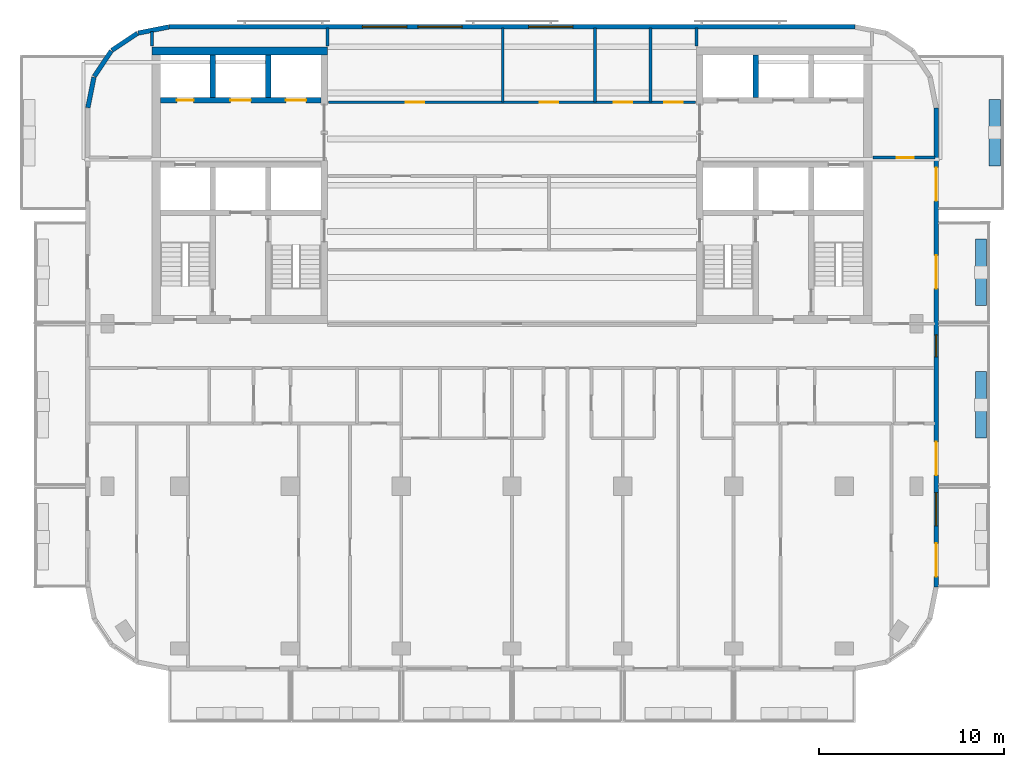
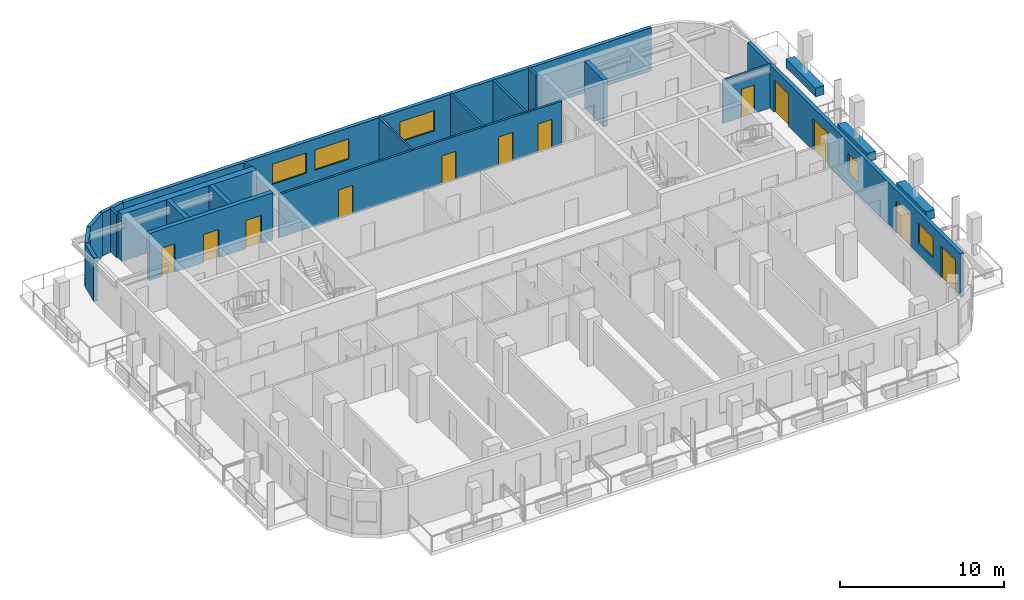
# One storey, part 6 of 11: 22 walls, 12 doors, 5 windows, 17 openings.
"""IFC4 building model written with IfcOpenShell, lengths in metres."""

from ifc_helpers import new_model, si_unit, direction, frame, frame_2d, origin, place, context, subcontext, project, spatial, rectangle, extrude, material, layer, layer_set, type_object, element, fill, save


model = new_model("IFC4")

# Units and contexts
model_context = context("Model", 3, precision=1e-05, world=origin(), true_north=direction((0.0, 1.0)))
body_context = subcontext(model_context, "Body", "Model", "MODEL_VIEW")
ifc_project = project(units=[si_unit("LENGTHUNIT", "METRE"), si_unit("AREAUNIT", "SQUARE_METRE"), si_unit("VOLUMEUNIT", "CUBIC_METRE"), si_unit("PLANEANGLEUNIT", "RADIAN"), si_unit("MASSUNIT", "GRAM", prefix="KILO")], contexts=[model_context])

# Site, building, storey
site_placement = place(None, origin())
site = spatial("IfcSite", under=ifc_project, at=site_placement, CompositionType="ELEMENT")
building_placement = place(site_placement, origin())
building = spatial("IfcBuilding", under=site, at=building_placement, Name="Torana Hotel and Residences", CompositionType="ELEMENT")
storey_placement = place(building_placement, frame((0.0, 0.0, 280.60009765625)))
storey = spatial("IfcBuildingStorey", under=building, at=storey_placement, Name="L74", CompositionType="ELEMENT", Elevation=280.60009765625)

# Wall, openings, doors
ifc_material_1 = material(Name="Concrete C60/75", Category="concrete")
ifc_layer_1 = layer(ifc_material_1, 0.300048828125)
ifc_layer_set_1 = layer_set([ifc_layer_1], Name="CORE WALL 300 C60/75")
wall_type_1 = type_object("IfcWallType", Name="CORE WALL 300 C60/75", PredefinedType="SHEAR", material=ifc_layer_set_1)
wall_1_placement = place(storey_placement, frame((-19.050048828125, -2.89990234375, 0.0), z_axis=(0.0, 0.0, 1.0), x_axis=(1.0, 0.0, 0.0)))
wall_1 = element("IfcWall", 1, at=wall_1_placement, inside=storey, type_object=wall_type_1, Name="Core wall W row-N", PredefinedType="SHEAR", context=body_context, shape_type="SweptSolid", body=[
    extrude(rectangle(XDim=8.699951171875, YDim=0.300048828125, at=frame_2d((4.35009765625, 0.0))), origin(), (0.0, 0.0, 1.0), 3.5),
])
opening_1_placement = place(wall_1_placement, frame((6.800048828125, 0.0, 0.0)))
opening_1 = element("IfcOpeningElement", 2, at=opening_1_placement, cuts=wall_1, Name="Opening LD", PredefinedType="OPENING", context=body_context, shape_type="SweptSolid", body=[
    extrude(rectangle(XDim=1.10009765625, YDim=2.10009765625, at=frame_2d((0.550048828125, 1.050048828125))), frame((0.0, 0.159912109375, 0.0), z_axis=(0.0, -1.0, 0.0), x_axis=(1.0, 0.0, 0.0)), (0.0, 0.0, 1.0), 0.320068359375),
])
opening_2_placement = place(wall_1_placement, frame((3.800048828125, 0.0, 0.0)))
opening_2 = element("IfcOpeningElement", 3, at=opening_2_placement, cuts=wall_1, Name="Opening LD", PredefinedType="OPENING", context=body_context, shape_type="SweptSolid", body=[
    extrude(rectangle(XDim=1.10009765625, YDim=2.10009765625, at=frame_2d((0.550048828125, 1.050048828125))), frame((0.0, 0.159912109375, 0.0), z_axis=(0.0, -1.0, 0.0), x_axis=(1.0, 0.0, 0.0)), (0.0, 0.0, 1.0), 0.320068359375),
])
opening_3_placement = place(wall_1_placement, frame((0.89990234375, 0.0, 0.0)))
opening_3 = element("IfcOpeningElement", 4, at=opening_3_placement, cuts=wall_1, Name="Opening L74-06", PredefinedType="OPENING", context=body_context, shape_type="SweptSolid", body=[
    extrude(rectangle(XDim=0.89990234375, YDim=2.10009765625, at=frame_2d((0.449951171875, 1.050048828125))), frame((0.0, 0.159912109375, 0.0), z_axis=(0.0, -1.0, 0.0), x_axis=(1.0, 0.0, 0.0)), (0.0, 0.0, 1.0), 0.320068359375),
])
ifc_material_2 = material(Name="Stainless steel 316", Category="steel")
door_type_1 = type_object("IfcDoorType", Name="LIFT LANDING DOOR LD 1100x2100", OperationType="DOUBLE_DOOR_SLIDING", PredefinedType="USERDEFINED", material=ifc_material_2)
door_1_placement = place(opening_1_placement, origin())
door_1 = element("IfcDoor", 5, at=door_1_placement, inside=storey, type_object=door_type_1, Name="Lift landing door H1 L74", ObjectType="LIFT LANDING DOOR", OperationType="DOUBLE_DOOR_SLIDING", OverallHeight=2.10009765625, OverallWidth=1.10009765625, PredefinedType="USERDEFINED", context=body_context, shape_type="SweptSolid", body=[
    extrude(rectangle(XDim=1.10009765625, YDim=2.10009765625, at=frame_2d((0.550048828125, 1.050048828125))), frame((0.0, 0.02490234375, 0.0), z_axis=(0.0, -1.0, 0.0), x_axis=(1.0, 0.0, 0.0)), (0.0, 0.0, 1.0), 0.050048828125),
])
fill(opening_1, door_1)
door_2_placement = place(opening_2_placement, origin())
door_2 = element("IfcDoor", 6, at=door_2_placement, inside=storey, type_object=door_type_1, Name="Lift landing door H2 L74", ObjectType="LIFT LANDING DOOR", OperationType="DOUBLE_DOOR_SLIDING", OverallHeight=2.10009765625, OverallWidth=1.10009765625, PredefinedType="USERDEFINED", context=body_context, shape_type="SweptSolid", body=[
    extrude(rectangle(XDim=1.10009765625, YDim=2.10009765625, at=frame_2d((0.550048828125, 1.050048828125))), frame((0.0, 0.02490234375, 0.0), z_axis=(0.0, -1.0, 0.0), x_axis=(1.0, 0.0, 0.0)), (0.0, 0.0, 1.0), 0.050048828125),
])
fill(opening_2, door_2)
ifc_material_3 = material(Name="Steel S235", Category="steel")
door_type_2 = type_object("IfcDoorType", Name="RISER ACCESS DOOR D5 900x2100", OperationType="SINGLE_SWING_LEFT", PredefinedType="DOOR", material=ifc_material_3)
door_3_placement = place(opening_3_placement, origin())
door_3 = element("IfcDoor", 7, at=door_3_placement, inside=storey, type_object=door_type_2, Name="N2 door L74", OperationType="SINGLE_SWING_RIGHT", OverallHeight=2.10009765625, OverallWidth=0.89990234375, PredefinedType="DOOR", context=body_context, shape_type="SweptSolid", body=[
    extrude(rectangle(XDim=0.89990234375, YDim=2.10009765625, at=frame_2d((0.449951171875, 1.050048828125))), frame((0.0, 0.02490234375, 0.0), z_axis=(0.0, -1.0, 0.0), x_axis=(1.0, 0.0, 0.0)), (0.0, 0.0, 1.0), 0.050048828125),
])
fill(opening_3, door_3)

# Walls
for number, where, z_axis, x_axis, name in (
    (8, (-13.199951171875, -2.75, 0.0), (0.0, 0.0, 1.0), (0.0, 1.0, 0.0), "Core wall W x3.05-N"),
    (9, (-16.199951171875, -2.75, 0.0), (0.0, 0.0, 1.0), (0.0, 1.0, 0.0), "Core wall W x6.05-N"),
    (10, (13.199951171875, -2.75, 0.0), (0.0, 0.0, 1.0), (0.0, 1.0, 0.0), "Core wall E x3.05-N"),
):
    element("IfcWall", number, at=place(storey_placement, frame(where, z_axis=z_axis, x_axis=x_axis)), inside=storey, type_object=wall_type_1, Name=name, PredefinedType="SHEAR", context=body_context, shape_type="SweptSolid", body=[
        extrude(rectangle(XDim=2.300048828125, YDim=0.300048828125, at=frame_2d((1.14990234375, 0.0))), origin(), (0.0, 0.0, 1.0), 3.5),
    ])
ifc_material_4 = material(Name="Concrete C60/75", Category="concrete")
ifc_layer_2 = layer(ifc_material_4, 0.449951171875)
ifc_layer_set_2 = layer_set([ifc_layer_2], Name="CORE WALL 450 C60/75")
wall_type_2 = type_object("IfcWallType", Name="CORE WALL 450 C60/75", PredefinedType="SHEAR", material=ifc_layer_set_2)
wall_2_placement = place(storey_placement, frame((-19.5, -0.22509765625, 0.0), z_axis=(0.0, 0.0, 1.0), x_axis=(1.0, 0.0, 0.0)))
element("IfcWall", 11, at=wall_2_placement, inside=storey, type_object=wall_type_2, Name="Core wall W rear", PredefinedType="SHEAR", context=body_context, shape_type="SweptSolid", body=[
    extrude(rectangle(XDim=9.5, YDim=0.449951171875, at=frame_2d((4.75, 0.0))), origin(), (0.0, 0.0, 1.0), 3.5),
])
ifc_material_5 = material(Name="Black aluminium composite panel", Category="aluminium")
ifc_layer_3 = layer(ifc_material_5, 0.00390625, Name="Cladding", Category="cladding")
ifc_material_6 = material(Name="Ventilated air cavity")
ifc_layer_4 = layer(ifc_material_6, 0.0400390625, Name="Ventilated cavity", Category="cavity")
ifc_material_7 = material(Name="Mineral wool insulation")
ifc_layer_5 = layer(ifc_material_7, 0.090087890625, Name="Insulation", Category="insulation")
ifc_material_8 = material(Name="Steel S280GD", Category="steel")
ifc_layer_6 = layer(ifc_material_8, 0.092041015625, Name="Steel stud frame", Category="structure")
ifc_material_9 = material(Name="Fire rated plasterboard")
ifc_layer_7 = layer(ifc_material_9, 0.011962890625, Name="Inner board", Category="finish")
ifc_layer_8 = layer(ifc_material_9, 0.011962890625, Name="Second board", Category="finish")
ifc_layer_set_3 = layer_set([ifc_layer_3, ifc_layer_4, ifc_layer_5, ifc_layer_6, ifc_layer_7, ifc_layer_8], Name="EW1 EXTERNAL WALL BLACK METAL CLAD 250")
wall_type_3 = type_object("IfcWallType", Name="EW1 EXTERNAL WALL BLACK METAL CLAD 250", PredefinedType="SOLIDWALL", material=ifc_layer_set_3)
wall_3_placement = place(storey_placement, frame((-18.599853515625, 1.072509765625, 0.0), z_axis=(0.0, 0.0, 1.0), x_axis=(-0.980797896849, -0.195026884138, 0.0)))
element("IfcWall", 12, at=wall_3_placement, inside=storey, type_object=wall_type_3, Name="External wall L74 e0.5", PredefinedType="SOLIDWALL", context=body_context, shape_type="SweptSolid", body=[
    extrude(rectangle(XDim=1.68115234375, YDim=0.25, at=frame_2d((0.840576171875, 0.0))), origin(), (0.0, 0.0, 1.0), 3.219970703125),
])
for number, where, z_axis, x_axis, name in (
    (13, (-20.2939453125, 0.725830078125, 0.0), (0.0, 0.0, 1.0), (-0.831482937015, -0.55555029066, 0.0), "External wall L74 e0.6"),
    (14, (-21.705810546875, -0.228759765625, 0.0), (0.0, 0.0, 1.0), (-0.55555029066, -0.831482937015, 0.0), "External wall L74 e0.7"),
):
    element("IfcWall", number, at=place(storey_placement, frame(where, z_axis=z_axis, x_axis=x_axis)), inside=storey, type_object=wall_type_3, Name=name, PredefinedType="SOLIDWALL", context=body_context, shape_type="SweptSolid", body=[
        extrude(rectangle(XDim=1.65625, YDim=0.25, at=frame_2d((0.828125, 0.0))), origin(), (0.0, 0.0, 1.0), 3.219970703125),
    ])
wall_4_placement = place(storey_placement, frame((-22.64453125, -1.651123046875, 0.0), z_axis=(0.0, 0.0, 1.0), x_axis=(-0.19513878023, -0.980775640221, 0.0)))
element("IfcWall", 15, at=wall_4_placement, inside=storey, type_object=wall_type_3, Name="External wall L74 e0.8", PredefinedType="SOLIDWALL", context=body_context, shape_type="SweptSolid", body=[
    extrude(rectangle(XDim=1.681396484375, YDim=0.25, at=frame_2d((0.8408203125, 0.0))), origin(), (0.0, 0.0, 1.0), 3.219970703125),
])

# Wall, openings, doors, windows
wall_5_placement = place(storey_placement, frame((22.97509765625, -29.275390625, 0.0), z_axis=(0.0, 0.0, 1.0), x_axis=(0.0, 1.0, 0.0)))
wall_5 = element("IfcWall", 16, at=wall_5_placement, inside=storey, type_object=wall_type_3, Name="External wall L74 e0.19", PredefinedType="SOLIDWALL", context=body_context, shape_type="SweptSolid", body=[
    extrude(rectangle(XDim=25.95068359375, YDim=0.25, at=frame_2d((12.975341796875, 0.0))), origin(), (0.0, 0.0, 1.0), 3.219970703125),
])
opening_4_placement = place(wall_5_placement, frame((0.575439453125, 0.0, 0.0)))
opening_4 = element("IfcOpeningElement", 17, at=opening_4_placement, cuts=wall_5, Name="Opening L74-E07", PredefinedType="OPENING", context=body_context, shape_type="SweptSolid", body=[
    extrude(rectangle(XDim=1.800048828125, YDim=2.39990234375, at=frame_2d((0.89990234375, 1.199951171875))), frame((0.0, 0.135009765625, 0.0), z_axis=(0.0, -1.0, 0.0), x_axis=(1.0, 0.0, 0.0)), (0.0, 0.0, 1.0), 0.27001953125),
])
opening_5_placement = place(wall_5_placement, frame((3.325439453125, 0.0, 0.89990234375)))
opening_5 = element("IfcOpeningElement", 18, at=opening_5_placement, cuts=wall_5, Name="Opening W4", PredefinedType="OPENING", context=body_context, shape_type="SweptSolid", body=[
    extrude(rectangle(XDim=1.800048828125, YDim=1.5, at=frame_2d((0.89990234375, 0.75))), frame((0.0, 0.135009765625, 0.0), z_axis=(0.0, -1.0, 0.0), x_axis=(1.0, 0.0, 0.0)), (0.0, 0.0, 1.0), 0.27001953125),
])
opening_6_placement = place(wall_5_placement, frame((6.075439453125, 0.0, 0.0)))
opening_6 = element("IfcOpeningElement", 19, at=opening_6_placement, cuts=wall_5, Name="Opening L74-E08", PredefinedType="OPENING", context=body_context, shape_type="SweptSolid", body=[
    extrude(rectangle(XDim=1.800048828125, YDim=2.39990234375, at=frame_2d((0.89990234375, 1.199951171875))), frame((0.0, 0.135009765625, 0.0), z_axis=(0.0, -1.0, 0.0), x_axis=(1.0, 0.0, 0.0)), (0.0, 0.0, 1.0), 0.27001953125),
])
opening_7_placement = place(wall_5_placement, frame((12.475341796875, 0.0, 0.89990234375)))
opening_7 = element("IfcOpeningElement", 20, at=opening_7_placement, cuts=wall_5, Name="Opening W5", PredefinedType="OPENING", context=body_context, shape_type="SweptSolid", body=[
    extrude(rectangle(XDim=1.199951171875, YDim=1.5, at=frame_2d((0.60009765625, 0.75))), frame((0.0, 0.135009765625, 0.0), z_axis=(0.0, -1.0, 0.0), x_axis=(1.0, 0.0, 0.0)), (0.0, 0.0, 1.0), 0.27001953125),
])
opening_8_placement = place(wall_5_placement, frame((16.17529296875, 0.0, 0.0)))
opening_8 = element("IfcOpeningElement", 21, at=opening_8_placement, cuts=wall_5, Name="Opening L74-E09", PredefinedType="OPENING", context=body_context, shape_type="SweptSolid", body=[
    extrude(rectangle(XDim=1.800048828125, YDim=2.39990234375, at=frame_2d((0.89990234375, 1.199951171875))), frame((0.0, 0.135009765625, 0.0), z_axis=(0.0, -1.0, 0.0), x_axis=(1.0, 0.0, 0.0)), (0.0, 0.0, 1.0), 0.27001953125),
])
opening_9_placement = place(wall_5_placement, frame((20.92529296875, 0.0, 0.0)))
opening_9 = element("IfcOpeningElement", 22, at=opening_9_placement, cuts=wall_5, Name="Opening L74-E10", PredefinedType="OPENING", context=body_context, shape_type="SweptSolid", body=[
    extrude(rectangle(XDim=1.800048828125, YDim=2.39990234375, at=frame_2d((0.89990234375, 1.199951171875))), frame((0.0, 0.135009765625, 0.0), z_axis=(0.0, -1.0, 0.0), x_axis=(1.0, 0.0, 0.0)), (0.0, 0.0, 1.0), 0.27001953125),
])
ifc_material_10 = material(Name="Dark glass in black aluminium frame", Category="aluminium")
door_type_3 = type_object("IfcDoorType", Name="DB1 BALCONY DOOR 1800x2400", OperationType="DOUBLE_DOOR_SINGLE_SWING", PredefinedType="DOOR", material=ifc_material_10)
door_4_placement = place(opening_4_placement, origin())
door_4 = element("IfcDoor", 23, at=door_4_placement, inside=storey, type_object=door_type_3, Name="Balcony door L74", OperationType="DOUBLE_DOOR_SINGLE_SWING", OverallHeight=2.39990234375, OverallWidth=1.800048828125, PredefinedType="DOOR", context=body_context, shape_type="SweptSolid", body=[
    extrude(rectangle(XDim=1.800048828125, YDim=2.39990234375, at=frame_2d((0.89990234375, 1.199951171875))), frame((0.0, 0.02490234375, 0.0), z_axis=(0.0, -1.0, 0.0), x_axis=(1.0, 0.0, 0.0)), (0.0, 0.0, 1.0), 0.050048828125),
])
fill(opening_4, door_4)
door_5_placement = place(opening_6_placement, origin())
door_5 = element("IfcDoor", 24, at=door_5_placement, inside=storey, type_object=door_type_3, Name="Balcony door L74", OperationType="DOUBLE_DOOR_SINGLE_SWING", OverallHeight=2.39990234375, OverallWidth=1.800048828125, PredefinedType="DOOR", context=body_context, shape_type="SweptSolid", body=[
    extrude(rectangle(XDim=1.800048828125, YDim=2.39990234375, at=frame_2d((0.89990234375, 1.199951171875))), frame((0.0, 0.02490234375, 0.0), z_axis=(0.0, -1.0, 0.0), x_axis=(1.0, 0.0, 0.0)), (0.0, 0.0, 1.0), 0.050048828125),
])
fill(opening_6, door_5)
door_6_placement = place(opening_8_placement, origin())
door_6 = element("IfcDoor", 25, at=door_6_placement, inside=storey, type_object=door_type_3, Name="Balcony door L74", OperationType="DOUBLE_DOOR_SINGLE_SWING", OverallHeight=2.39990234375, OverallWidth=1.800048828125, PredefinedType="DOOR", context=body_context, shape_type="SweptSolid", body=[
    extrude(rectangle(XDim=1.800048828125, YDim=2.39990234375, at=frame_2d((0.89990234375, 1.199951171875))), frame((0.0, 0.02490234375, 0.0), z_axis=(0.0, -1.0, 0.0), x_axis=(1.0, 0.0, 0.0)), (0.0, 0.0, 1.0), 0.050048828125),
])
fill(opening_8, door_6)
door_7_placement = place(opening_9_placement, origin())
door_7 = element("IfcDoor", 26, at=door_7_placement, inside=storey, type_object=door_type_3, Name="Balcony door L74", OperationType="DOUBLE_DOOR_SINGLE_SWING", OverallHeight=2.39990234375, OverallWidth=1.800048828125, PredefinedType="DOOR", context=body_context, shape_type="SweptSolid", body=[
    extrude(rectangle(XDim=1.800048828125, YDim=2.39990234375, at=frame_2d((0.89990234375, 1.199951171875))), frame((0.0, 0.02490234375, 0.0), z_axis=(0.0, -1.0, 0.0), x_axis=(1.0, 0.0, 0.0)), (0.0, 0.0, 1.0), 0.050048828125),
])
fill(opening_9, door_7)
ifc_material_11 = material(Name="Dark glass in black aluminium frame", Category="aluminium")
window_type_1 = type_object("IfcWindowType", Name="W4 RESIDENCE WINDOW NARROW 1800x1500", PartitioningType="SINGLE_PANEL", PredefinedType="WINDOW", material=ifc_material_11)
window_1_placement = place(opening_5_placement, origin())
window_1 = element("IfcWindow", 27, at=window_1_placement, inside=storey, type_object=window_type_1, Name="Window L74", OverallHeight=1.5, OverallWidth=1.800048828125, PartitioningType="SINGLE_PANEL", PredefinedType="WINDOW", context=body_context, shape_type="SweptSolid", body=[
    extrude(rectangle(XDim=1.800048828125, YDim=1.5, at=frame_2d((0.89990234375, 0.75))), frame((0.0, 0.030029296875, 0.0), z_axis=(0.0, -1.0, 0.0), x_axis=(1.0, 0.0, 0.0)), (0.0, 0.0, 1.0), 0.06005859375),
])
fill(opening_5, window_1)
ifc_material_12 = material(Name="Dark glass in black aluminium frame", Category="aluminium")
window_type_2 = type_object("IfcWindowType", Name="W5 CORNER FACET WINDOW 1200x1500", PartitioningType="SINGLE_PANEL", PredefinedType="WINDOW", material=ifc_material_12)
window_2_placement = place(opening_7_placement, origin())
window_2 = element("IfcWindow", 28, at=window_2_placement, inside=storey, type_object=window_type_2, Name="Window L74", OverallHeight=1.5, OverallWidth=1.199951171875, PartitioningType="SINGLE_PANEL", PredefinedType="WINDOW", context=body_context, shape_type="SweptSolid", body=[
    extrude(rectangle(XDim=1.199951171875, YDim=1.5, at=frame_2d((0.60009765625, 0.75))), frame((0.0, 0.030029296875, 0.0), z_axis=(0.0, -1.0, 0.0), x_axis=(1.0, 0.0, 0.0)), (0.0, 0.0, 1.0), 0.06005859375),
])
fill(opening_7, window_2)

# Wall, openings, windows
ifc_material_13 = material(Name="Concrete C40/50 precast", Category="concrete")
ifc_layer_9 = layer(ifc_material_13, 0.10009765625, Name="Perforated block", Category="cladding")
ifc_material_14 = material(Name="Air cavity")
ifc_layer_10 = layer(ifc_material_14, 0.030029296875, Name="Cavity", Category="cavity")
ifc_material_15 = material(Name="Concrete C40/50", Category="concrete")
ifc_layer_11 = layer(ifc_material_15, 0.10009765625, Name="Wall", Category="structure")
ifc_material_16 = material(Name="Plaster and paint")
ifc_layer_12 = layer(ifc_material_16, 0.02001953125, Name="Inner finish", Category="finish")
ifc_layer_set_4 = layer_set([ifc_layer_9, ifc_layer_10, ifc_layer_11, ifc_layer_12], Name="EW2 PERFORATED BLOCK SCREEN WALL 250")
wall_type_4 = type_object("IfcWallType", Name="EW2 PERFORATED BLOCK SCREEN WALL 250", PredefinedType="SOLIDWALL", material=ifc_layer_set_4)
wall_6_placement = place(storey_placement, frame((18.575439453125, 1.074951171875, 0.0), z_axis=(0.0, 0.0, 1.0), x_axis=(-1.0, 0.0, 0.0)))
wall_6 = element("IfcWall", 29, at=wall_6_placement, inside=storey, type_object=wall_type_4, Name="External wall L74 e0.4", PredefinedType="SOLIDWALL", context=body_context, shape_type="SweptSolid", body=[
    extrude(rectangle(XDim=37.15087890625, YDim=0.25, at=frame_2d((18.575439453125, 0.0))), origin(), (0.0, 0.0, 1.0), 3.219970703125),
])
opening_10_placement = place(wall_6_placement, frame((15.275390625, 0.0, 0.89990234375)))
opening_10 = element("IfcOpeningElement", 30, at=opening_10_placement, cuts=wall_6, Name="Opening W3", PredefinedType="OPENING", context=body_context, shape_type="SweptSolid", body=[
    extrude(rectangle(XDim=2.39990234375, YDim=1.5, at=frame_2d((1.199951171875, 0.75))), frame((0.0, 0.135009765625, 0.0), z_axis=(0.0, -1.0, 0.0), x_axis=(1.0, 0.0, 0.0)), (0.0, 0.0, 1.0), 0.27001953125),
])
opening_11_placement = place(wall_6_placement, frame((21.275390625, 0.0, 0.89990234375)))
opening_11 = element("IfcOpeningElement", 31, at=opening_11_placement, cuts=wall_6, Name="Opening W3", PredefinedType="OPENING", context=body_context, shape_type="SweptSolid", body=[
    extrude(rectangle(XDim=2.39990234375, YDim=1.5, at=frame_2d((1.199951171875, 0.75))), frame((0.0, 0.135009765625, 0.0), z_axis=(0.0, -1.0, 0.0), x_axis=(1.0, 0.0, 0.0)), (0.0, 0.0, 1.0), 0.27001953125),
])
opening_12_placement = place(wall_6_placement, frame((24.275390625, 0.0, 0.89990234375)))
opening_12 = element("IfcOpeningElement", 32, at=opening_12_placement, cuts=wall_6, Name="Opening W3", PredefinedType="OPENING", context=body_context, shape_type="SweptSolid", body=[
    extrude(rectangle(XDim=2.39990234375, YDim=1.5, at=frame_2d((1.199951171875, 0.75))), frame((0.0, 0.135009765625, 0.0), z_axis=(0.0, -1.0, 0.0), x_axis=(1.0, 0.0, 0.0)), (0.0, 0.0, 1.0), 0.27001953125),
])
ifc_material_17 = material(Name="Dark glass in black aluminium frame", Category="aluminium")
window_type_3 = type_object("IfcWindowType", Name="W3 RESIDENCE WINDOW 2400x1500", PartitioningType="SINGLE_PANEL", PredefinedType="WINDOW", material=ifc_material_17)
window_3_placement = place(opening_10_placement, origin())
window_3 = element("IfcWindow", 33, at=window_3_placement, inside=storey, type_object=window_type_3, Name="Window L74", OverallHeight=1.5, OverallWidth=2.39990234375, PartitioningType="SINGLE_PANEL", PredefinedType="WINDOW", context=body_context, shape_type="SweptSolid", body=[
    extrude(rectangle(XDim=2.39990234375, YDim=1.5, at=frame_2d((1.199951171875, 0.75))), frame((0.0, 0.030029296875, 0.0), z_axis=(0.0, -1.0, 0.0), x_axis=(1.0, 0.0, 0.0)), (0.0, 0.0, 1.0), 0.06005859375),
])
fill(opening_10, window_3)
window_4_placement = place(opening_11_placement, origin())
window_4 = element("IfcWindow", 34, at=window_4_placement, inside=storey, type_object=window_type_3, Name="Window L74", OverallHeight=1.5, OverallWidth=2.39990234375, PartitioningType="SINGLE_PANEL", PredefinedType="WINDOW", context=body_context, shape_type="SweptSolid", body=[
    extrude(rectangle(XDim=2.39990234375, YDim=1.5, at=frame_2d((1.199951171875, 0.75))), frame((0.0, 0.030029296875, 0.0), z_axis=(0.0, -1.0, 0.0), x_axis=(1.0, 0.0, 0.0)), (0.0, 0.0, 1.0), 0.06005859375),
])
fill(opening_11, window_4)
window_5_placement = place(opening_12_placement, origin())
window_5 = element("IfcWindow", 35, at=window_5_placement, inside=storey, type_object=window_type_3, Name="Window L74", OverallHeight=1.5, OverallWidth=2.39990234375, PartitioningType="SINGLE_PANEL", PredefinedType="WINDOW", context=body_context, shape_type="SweptSolid", body=[
    extrude(rectangle(XDim=2.39990234375, YDim=1.5, at=frame_2d((1.199951171875, 0.75))), frame((0.0, 0.030029296875, 0.0), z_axis=(0.0, -1.0, 0.0), x_axis=(1.0, 0.0, 0.0)), (0.0, 0.0, 1.0), 0.06005859375),
])
fill(opening_12, window_5)

# Wall, openings, doors
ifc_material_18 = material(Name="Gypsum plaster")
ifc_layer_13 = layer(ifc_material_18, 0.014892578125, Name="Plaster", Category="finish")
ifc_material_19 = material(Name="Concrete blockwork", Category="masonry")
ifc_layer_14 = layer(ifc_material_19, 0.1201171875, Name="Blockwork", Category="structure")
ifc_layer_15 = layer(ifc_material_18, 0.014892578125, Name="Plaster", Category="finish")
ifc_layer_set_5 = layer_set([ifc_layer_13, ifc_layer_14, ifc_layer_15], Name="FIRE PARTITION 150 BLOCKWORK")
wall_type_5 = type_object("IfcWallType", Name="FIRE PARTITION 150 BLOCKWORK", PredefinedType="PARTITIONING", material=ifc_layer_set_5)
wall_7_placement = place(storey_placement, frame((-9.949951171875, -3.0, 0.0), z_axis=(0.0, 0.0, 1.0), x_axis=(1.0, 0.0, 0.0)))
wall_7 = element("IfcWall", 36, at=wall_7_placement, inside=storey, type_object=wall_type_5, Name="Partition L74", PredefinedType="PARTITIONING", context=body_context, shape_type="SweptSolid", body=[
    extrude(rectangle(XDim=19.89990234375, YDim=0.14990234375, at=frame_2d((9.949951171875, 0.0))), origin(), (0.0, 0.0, 1.0), 3.219970703125),
])
opening_13_placement = place(wall_7_placement, frame((4.199951171875, 0.0, 0.0)))
opening_13 = element("IfcOpeningElement", 37, at=opening_13_placement, cuts=wall_7, Name="Opening L74-32", PredefinedType="OPENING", context=body_context, shape_type="SweptSolid", body=[
    extrude(rectangle(XDim=1.0, YDim=2.10009765625, at=frame_2d((0.5, 1.050048828125))), frame((0.0, 0.0849609375, 0.0), z_axis=(0.0, -1.0, 0.0), x_axis=(1.0, 0.0, 0.0)), (0.0, 0.0, 1.0), 0.169921875),
])
opening_14_placement = place(wall_7_placement, frame((11.449951171875, 0.0, 0.0)))
opening_14 = element("IfcOpeningElement", 38, at=opening_14_placement, cuts=wall_7, Name="Opening L74-33", PredefinedType="OPENING", context=body_context, shape_type="SweptSolid", body=[
    extrude(rectangle(XDim=1.0, YDim=2.10009765625, at=frame_2d((0.5, 1.050048828125))), frame((0.0, 0.0849609375, 0.0), z_axis=(0.0, -1.0, 0.0), x_axis=(1.0, 0.0, 0.0)), (0.0, 0.0, 1.0), 0.169921875),
])
opening_15_placement = place(wall_7_placement, frame((15.449951171875, 0.0, 0.0)))
opening_15 = element("IfcOpeningElement", 39, at=opening_15_placement, cuts=wall_7, Name="Opening L74-34", PredefinedType="OPENING", context=body_context, shape_type="SweptSolid", body=[
    extrude(rectangle(XDim=1.0, YDim=2.10009765625, at=frame_2d((0.5, 1.050048828125))), frame((0.0, 0.0849609375, 0.0), z_axis=(0.0, -1.0, 0.0), x_axis=(1.0, 0.0, 0.0)), (0.0, 0.0, 1.0), 0.169921875),
])
opening_16_placement = place(wall_7_placement, frame((18.199951171875, 0.0, 0.0)))
opening_16 = element("IfcOpeningElement", 40, at=opening_16_placement, cuts=wall_7, Name="Opening L74-35", PredefinedType="OPENING", context=body_context, shape_type="SweptSolid", body=[
    extrude(rectangle(XDim=1.0, YDim=2.10009765625, at=frame_2d((0.5, 1.050048828125))), frame((0.0, 0.0849609375, 0.0), z_axis=(0.0, -1.0, 0.0), x_axis=(1.0, 0.0, 0.0)), (0.0, 0.0, 1.0), 0.169921875),
])
ifc_material_20 = material(Name="Steel S235", Category="steel")
door_type_4 = type_object("IfcDoorType", Name="ENTRY FIRE DOOR D6 1000x2100", OperationType="SINGLE_SWING_LEFT", PredefinedType="DOOR", material=ifc_material_20)
door_8_placement = place(opening_13_placement, origin())
door_8 = element("IfcDoor", 41, at=door_8_placement, inside=storey, type_object=door_type_4, Name="Door L74", OperationType="SINGLE_SWING_RIGHT", OverallHeight=2.10009765625, OverallWidth=1.0, PredefinedType="DOOR", context=body_context, shape_type="SweptSolid", body=[
    extrude(rectangle(XDim=1.0, YDim=2.10009765625, at=frame_2d((0.5, 1.050048828125))), frame((0.0, 0.02490234375, 0.0), z_axis=(0.0, -1.0, 0.0), x_axis=(1.0, 0.0, 0.0)), (0.0, 0.0, 1.0), 0.050048828125),
])
fill(opening_13, door_8)
door_9_placement = place(opening_14_placement, origin())
door_9 = element("IfcDoor", 42, at=door_9_placement, inside=storey, type_object=door_type_4, Name="Door L74", OperationType="SINGLE_SWING_RIGHT", OverallHeight=2.10009765625, OverallWidth=1.0, PredefinedType="DOOR", context=body_context, shape_type="SweptSolid", body=[
    extrude(rectangle(XDim=1.0, YDim=2.10009765625, at=frame_2d((0.5, 1.050048828125))), frame((0.0, 0.02490234375, 0.0), z_axis=(0.0, -1.0, 0.0), x_axis=(1.0, 0.0, 0.0)), (0.0, 0.0, 1.0), 0.050048828125),
])
fill(opening_14, door_9)
door_10_placement = place(opening_15_placement, origin())
door_10 = element("IfcDoor", 43, at=door_10_placement, inside=storey, type_object=door_type_4, Name="Door L74", OperationType="SINGLE_SWING_RIGHT", OverallHeight=2.10009765625, OverallWidth=1.0, PredefinedType="DOOR", context=body_context, shape_type="SweptSolid", body=[
    extrude(rectangle(XDim=1.0, YDim=2.10009765625, at=frame_2d((0.5, 1.050048828125))), frame((0.0, 0.02490234375, 0.0), z_axis=(0.0, -1.0, 0.0), x_axis=(1.0, 0.0, 0.0)), (0.0, 0.0, 1.0), 0.050048828125),
])
fill(opening_15, door_10)
door_11_placement = place(opening_16_placement, origin())
door_11 = element("IfcDoor", 44, at=door_11_placement, inside=storey, type_object=door_type_4, Name="Door L74", OperationType="SINGLE_SWING_RIGHT", OverallHeight=2.10009765625, OverallWidth=1.0, PredefinedType="DOOR", context=body_context, shape_type="SweptSolid", body=[
    extrude(rectangle(XDim=1.0, YDim=2.10009765625, at=frame_2d((0.5, 1.050048828125))), frame((0.0, 0.02490234375, 0.0), z_axis=(0.0, -1.0, 0.0), x_axis=(1.0, 0.0, 0.0)), (0.0, 0.0, 1.0), 0.050048828125),
])
fill(opening_16, door_11)

# Walls
ifc_material_21 = material(Name="Gypsum plasterboard")
ifc_layer_16 = layer(ifc_material_21, 0.012451171875, Name="Plasterboard", Category="finish")
ifc_layer_17 = layer(ifc_material_21, 0.012451171875, Name="Plasterboard", Category="finish")
ifc_layer_18 = layer(ifc_material_8, 0.10009765625, Name="Steel studs with mineral wool", Category="insulation")
ifc_layer_19 = layer(ifc_material_21, 0.012451171875, Name="Plasterboard", Category="finish")
ifc_layer_20 = layer(ifc_material_21, 0.012451171875, Name="Plasterboard", Category="finish")
ifc_layer_set_6 = layer_set([ifc_layer_16, ifc_layer_17, ifc_layer_18, ifc_layer_19, ifc_layer_20], Name="PARTITION 150 PLASTERBOARD")
wall_type_6 = type_object("IfcWallType", Name="PARTITION 150 PLASTERBOARD", PredefinedType="PARTITIONING", material=ifc_layer_set_6)
wall_8_placement = place(storey_placement, frame((-0.5, -3.0, 0.0), z_axis=(0.0, 0.0, 1.0), x_axis=(0.0, 1.0, 0.0)))
element("IfcWall", 45, at=wall_8_placement, inside=storey, type_object=wall_type_6, Name="Partition L74", PredefinedType="PARTITIONING", context=body_context, shape_type="SweptSolid", body=[
    extrude(rectangle(XDim=4.02001953125, YDim=0.14990234375, at=frame_2d((2.010009765625, 0.0))), origin(), (0.0, 0.0, 1.0), 3.219970703125),
])
wall_9_placement = place(storey_placement, frame((-10.0, 0.050048828125, 0.0), z_axis=(0.0, 0.0, 1.0), x_axis=(0.0, 1.0, 0.0)))
element("IfcWall", 46, at=wall_9_placement, inside=storey, type_object=wall_type_6, Name="Partition L74", PredefinedType="PARTITIONING", context=body_context, shape_type="SweptSolid", body=[
    extrude(rectangle(XDim=0.969970703125, YDim=0.14990234375, at=frame_2d((0.48486328125, 0.0))), origin(), (0.0, 0.0, 1.0), 3.219970703125),
])
wall_10_placement = place(storey_placement, frame((-19.5, 0.050048828125, 0.0), z_axis=(0.0, 0.0, 1.0), x_axis=(0.0, 1.0, 0.0)))
element("IfcWall", 47, at=wall_10_placement, inside=storey, type_object=wall_type_6, Name="Partition L74", PredefinedType="PARTITIONING", context=body_context, shape_type="SweptSolid", body=[
    extrude(rectangle(XDim=0.787353515625, YDim=0.14990234375, at=frame_2d((0.3935546875, 0.0))), origin(), (0.0, 0.0, 1.0), 3.219970703125),
])

# Wall, opening, door
wall_11_placement = place(storey_placement, frame((19.550048828125, -6.0, 0.0), z_axis=(0.0, 0.0, 1.0), x_axis=(1.0, 0.0, 0.0)))
wall_11 = element("IfcWall", 48, at=wall_11_placement, inside=storey, type_object=wall_type_6, Name="Partition L74", PredefinedType="PARTITIONING", context=body_context, shape_type="SweptSolid", body=[
    extrude(rectangle(XDim=3.369873046875, YDim=0.14990234375, at=frame_2d((1.68505859375, 0.0))), origin(), (0.0, 0.0, 1.0), 3.219970703125),
])
opening_17_placement = place(wall_11_placement, frame((1.300048828125, 0.0, 0.0)))
opening_17 = element("IfcOpeningElement", 49, at=opening_17_placement, cuts=wall_11, Name="Opening L74-58", PredefinedType="OPENING", context=body_context, shape_type="SweptSolid", body=[
    extrude(rectangle(XDim=0.89990234375, YDim=2.10009765625, at=frame_2d((0.449951171875, 1.050048828125))), frame((0.0, 0.0849609375, 0.0), z_axis=(0.0, -1.0, 0.0), x_axis=(1.0, 0.0, 0.0)), (0.0, 0.0, 1.0), 0.169921875),
])
ifc_material_22 = material(Name="Timber door, oiled ash", Category="wood")
door_type_5 = type_object("IfcDoorType", Name="ROOM DOOR D7 900x2100", OperationType="SINGLE_SWING_LEFT", PredefinedType="DOOR", material=ifc_material_22)
door_12_placement = place(opening_17_placement, origin())
door_12 = element("IfcDoor", 50, at=door_12_placement, inside=storey, type_object=door_type_5, Name="Door L74", OperationType="SINGLE_SWING_LEFT", OverallHeight=2.10009765625, OverallWidth=0.89990234375, PredefinedType="DOOR", context=body_context, shape_type="SweptSolid", body=[
    extrude(rectangle(XDim=0.89990234375, YDim=2.10009765625, at=frame_2d((0.449951171875, 1.050048828125))), frame((0.0, 0.02490234375, 0.0), z_axis=(0.0, -1.0, 0.0), x_axis=(1.0, 0.0, 0.0)), (0.0, 0.0, 1.0), 0.050048828125),
])
fill(opening_17, door_12)

# Walls
ifc_layer_21 = layer(ifc_material_13, 0.10009765625, Name="Planter shell", Category="structure")
ifc_material_23 = material(Name="Root resistant membrane")
ifc_layer_22 = layer(ifc_material_23, 0.00390625, Name="Waterproofing membrane", Category="membrane")
ifc_material_24 = material(Name="Drainage board with filter fleece")
ifc_layer_23 = layer(ifc_material_24, 0.02001953125, Name="Drainage board", Category="drainage")
ifc_material_25 = material(Name="Growing medium")
ifc_layer_24 = layer(ifc_material_25, 0.47607421875, Name="Planting substrate", Category="soil")
ifc_layer_set_7 = layer_set([ifc_layer_21, ifc_layer_22, ifc_layer_23, ifc_layer_24], Name="PL1 BALCONY PLANTER 600")
wall_type_7 = type_object("IfcWallType", Name="PL1 BALCONY PLANTER 600", PredefinedType="USERDEFINED", material=ifc_layer_set_7)
for number, where, z_axis, x_axis, name in (
    (51, (25.39990234375, -17.60009765625, 0.0), (0.0, 0.0, 1.0), (0.0, -1.0, 0.0), "Planter 12"),
    (52, (25.39990234375, -10.425048828125, 0.0), (0.0, 0.0, 1.0), (0.0, -1.0, 0.0), "Planter 13"),
    (53, (26.14990234375, -2.85009765625, 0.0), (0.0, 0.0, 1.0), (0.0, -1.0, 0.0), "Planter 14"),
):
    element("IfcWall", number, at=place(storey_placement, frame(where, z_axis=z_axis, x_axis=x_axis)), inside=storey, type_object=wall_type_7, Name=name, ObjectType="PLANTER", PredefinedType="USERDEFINED", context=body_context, shape_type="SweptSolid", body=[
        extrude(rectangle(XDim=3.599853515625, YDim=0.60009765625, at=frame_2d((1.7998046875, 0.0))), origin(), (0.0, 0.0, 1.0), 0.64990234375),
    ])
ifc_material_26 = material(Name="Ceramic tile on adhesive")
ifc_layer_25 = layer(ifc_material_26, 0.010009765625, Name="Wall tile", Category="finish")
ifc_material_27 = material(Name="Cement render")
ifc_layer_26 = layer(ifc_material_27, 0.010009765625, Name="Render", Category="finish")
ifc_layer_27 = layer(ifc_material_19, 0.110107421875, Name="Blockwork", Category="structure")
ifc_layer_28 = layer(ifc_material_27, 0.010009765625, Name="Render", Category="finish")
ifc_layer_29 = layer(ifc_material_26, 0.010009765625, Name="Wall tile", Category="finish")
ifc_layer_set_8 = layer_set([ifc_layer_25, ifc_layer_26, ifc_layer_27, ifc_layer_28, ifc_layer_29], Name="WC PARTITION 150")
wall_type_8 = type_object("IfcWallType", Name="WC PARTITION 150", PredefinedType="PLUMBINGWALL", material=ifc_layer_set_8)
wall_12_placement = place(storey_placement, frame((10.0, 0.050048828125, 0.0), z_axis=(0.0, 0.0, 1.0), x_axis=(0.0, 1.0, 0.0)))
element("IfcWall", 54, at=wall_12_placement, inside=storey, type_object=wall_type_8, Name="Partition L74", PredefinedType="PLUMBINGWALL", context=body_context, shape_type="SweptSolid", body=[
    extrude(rectangle(XDim=0.969970703125, YDim=0.14990234375, at=frame_2d((0.48486328125, 0.0))), origin(), (0.0, 0.0, 1.0), 3.219970703125),
])
for number, where, z_axis, x_axis, name in (
    (55, (7.5, -3.0, 0.0), (0.0, 0.0, 1.0), (0.0, 1.0, 0.0), "Partition L74"),
    (56, (4.5, -3.0, 0.0), (0.0, 0.0, 1.0), (0.0, 1.0, 0.0), "Partition L74"),
):
    element("IfcWall", number, at=place(storey_placement, frame(where, z_axis=z_axis, x_axis=x_axis)), inside=storey, type_object=wall_type_8, Name=name, PredefinedType="PLUMBINGWALL", context=body_context, shape_type="SweptSolid", body=[
        extrude(rectangle(XDim=4.02001953125, YDim=0.14990234375, at=frame_2d((2.010009765625, 0.0))), origin(), (0.0, 0.0, 1.0), 3.219970703125),
    ])

save(model, "model.ifc")
